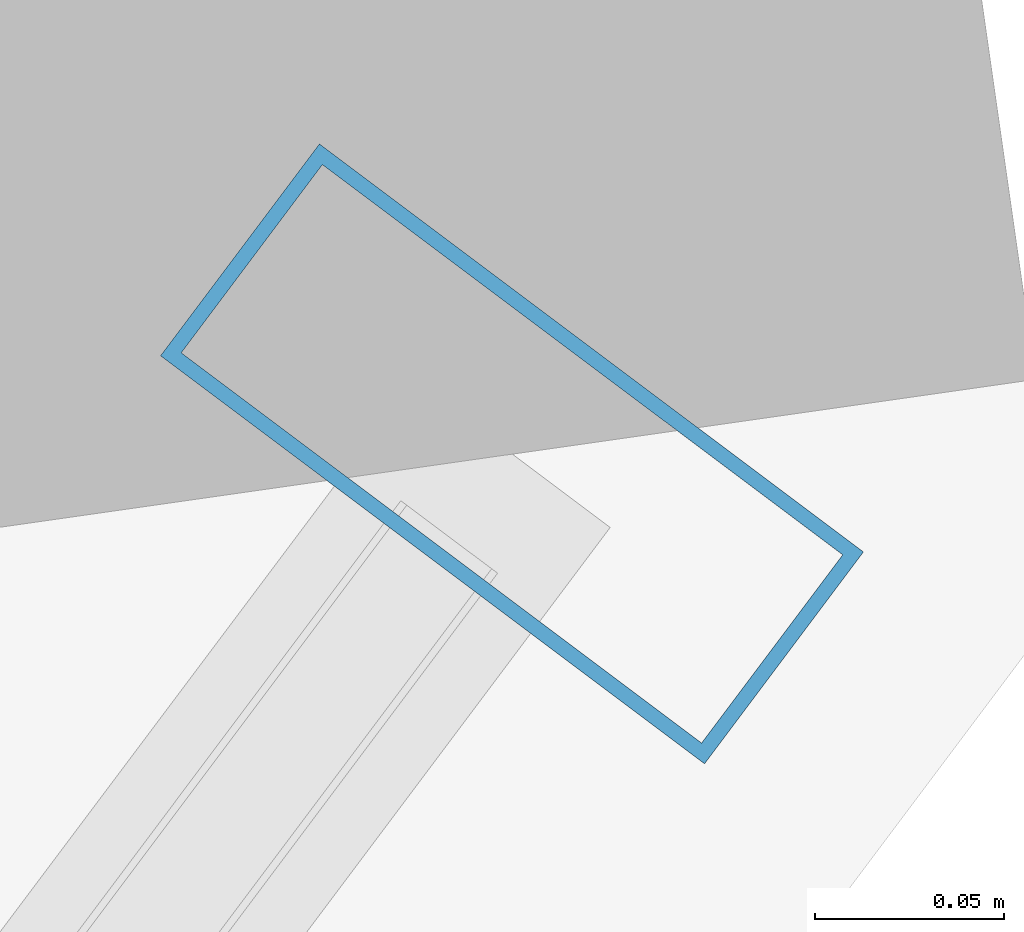
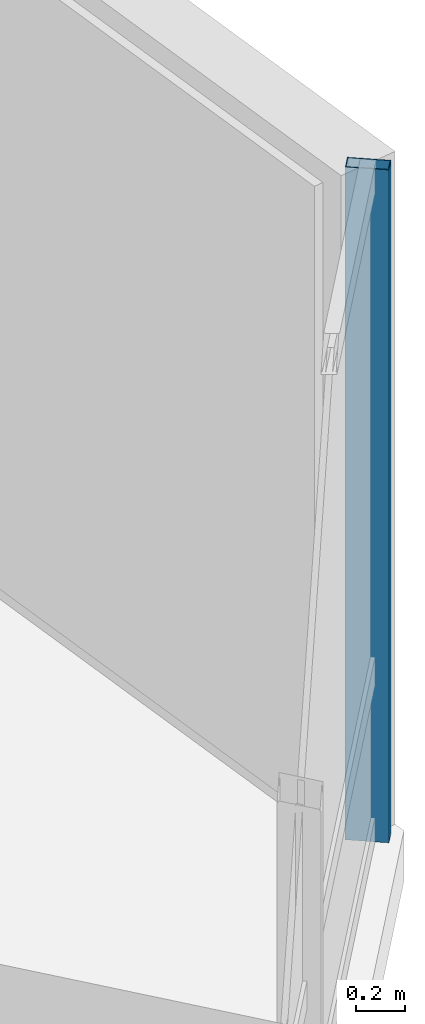
# One storey, part 16 of 27: 1 member, 1 element without a shape of its own.
"""IFC4 building model written with IfcOpenShell, lengths in metres."""

from ifc_helpers import new_model, si_unit, direction, frame, origin, origin_2d, place, context, subcontext, project, spatial, hollow_rectangle, extrude, material, layer, layer_set, material_profile, profile_set, type_object, element, aggregate, save


model = new_model("IFC4")

# Units and contexts
model_context = context("Model", 3, precision=1e-05, world=origin(), true_north=direction((0.0, 1.0)))
body_context = subcontext(model_context, "Body", "Model", "MODEL_VIEW")
ifc_project = project(units=[si_unit("LENGTHUNIT", "METRE"), si_unit("AREAUNIT", "SQUARE_METRE"), si_unit("VOLUMEUNIT", "CUBIC_METRE"), si_unit("PLANEANGLEUNIT", "RADIAN"), si_unit("MASSUNIT", "GRAM", prefix="KILO")], contexts=[model_context])

# Site, building, storey
site_placement = place(None, origin())
site = spatial("IfcSite", under=ifc_project, at=site_placement, CompositionType="ELEMENT")
building_placement = place(site_placement, origin())
building = spatial("IfcBuilding", under=site, at=building_placement, Name="Hatsunagi Terrace Concourse", CompositionType="ELEMENT")
storey_placement = place(building_placement, frame((0.0, 0.0, 163.64990234375)))
storey = spatial("IfcBuildingStorey", under=building, at=storey_placement, Name="L43", CompositionType="ELEMENT", Elevation=163.64990234375)

# Curtain wall, member
ifc_material_1 = material(Name="Anodised Aluminium Alloy 6063-T5", Category="aluminium")
ifc_layer = layer(ifc_material_1, 0.199951171875)
ifc_layer_set = layer_set([ifc_layer], Name="OfficeZone1_CW03")
curtain_wall_type = type_object("IfcCurtainWallType", Name="OfficeZone1_CW03", PredefinedType="NOTDEFINED", material=ifc_layer_set)
curtain_wall_placement = place(storey_placement, origin())
curtain_wall = element("IfcCurtainWall", 1, at=curtain_wall_placement, inside=storey, type_object=curtain_wall_type, Name="Unitised Curtain Wall CW-03 CW-L43-03", PredefinedType="NOTDEFINED")
ifc_material_2 = material(Name="Anodised Aluminium Alloy 6063-T5", Category="aluminium")
ifc_material_profile = material_profile(ifc_material_2, hollow_rectangle(XDim=0.070068359375, YDim=0.179931640625, WallThickness=0.00390625, at=origin_2d()), Name="ALU-MUL-180x70x4")
ifc_profile_set = profile_set([ifc_material_profile], Name="Anodised Aluminium Alloy 6063-T5")
member_type = type_object("IfcMemberType", Name="CurtainWallMullion_180x70", PredefinedType="MULLION", material=ifc_profile_set)
member_placement = place(storey_placement, frame((60.693115234375, 25.9580078125, 0.0), z_axis=(0.0, 0.0, 1.0), x_axis=(-0.599969314634, -0.800023013105, 0.0)))
member = element("IfcMember", 2, at=member_placement, type_object=member_type, Name="Curtain Wall Mullion MUL-02", PredefinedType="MULLION", context=body_context, shape_type="SweptSolid", body=[
    extrude(hollow_rectangle(XDim=0.070068359375, YDim=0.179931640625, WallThickness=0.00390625, at=origin_2d()), origin(), (0.0, 0.0, 1.0), 3.35009765625),
])
aggregate(curtain_wall, [member])

save(model, "model.ifc")
